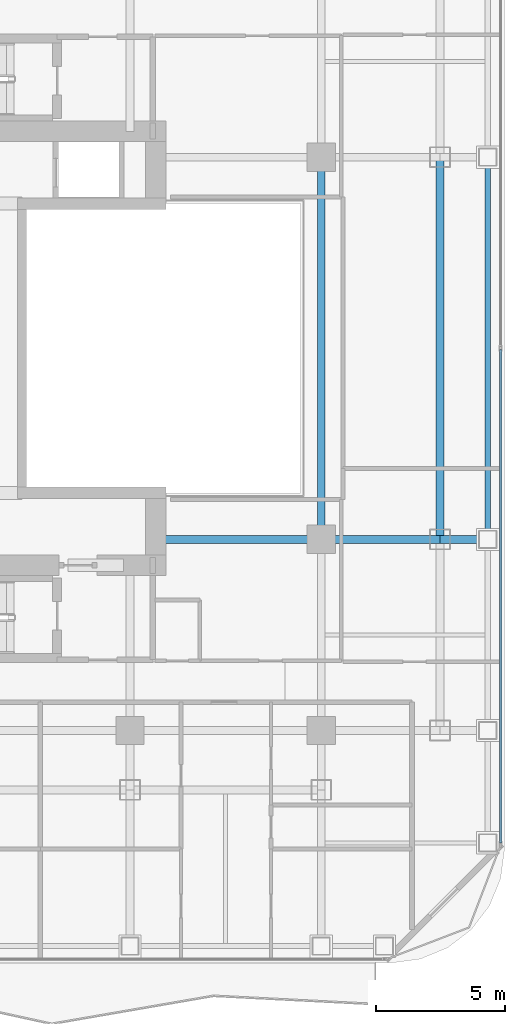
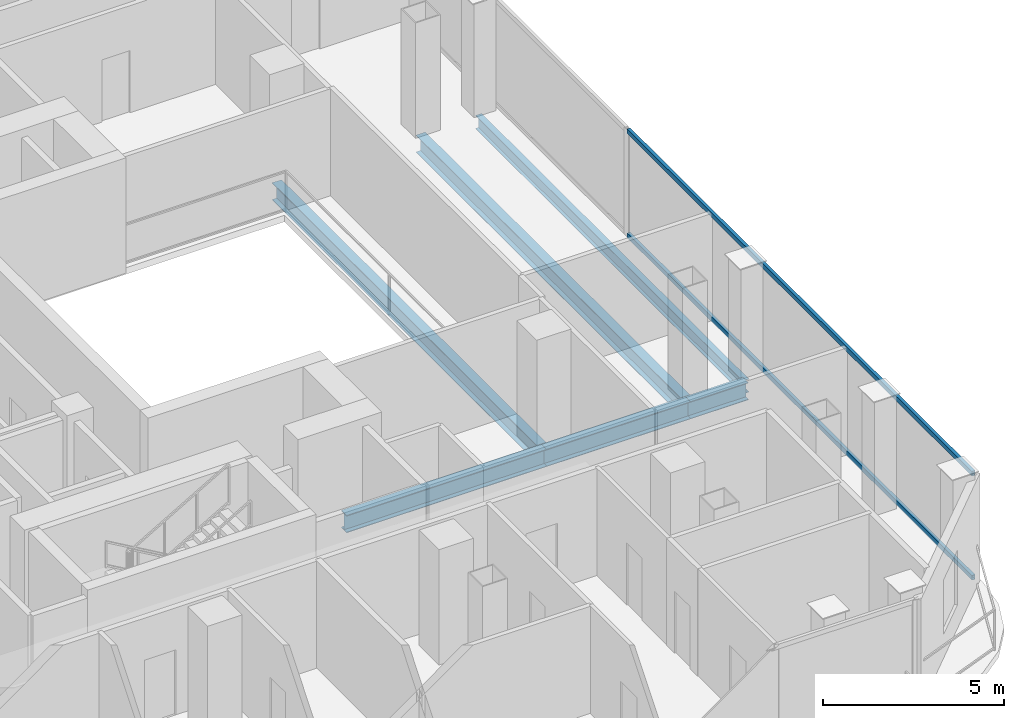
# One storey, part 8 of 26: 6 beams, 2 members, 1 element without a shape of its own.
"""IFC4 building model written with IfcOpenShell, lengths in metres."""

from ifc_helpers import new_model, si_unit, direction, frame, origin, origin_2d, place, context, subcontext, project, spatial, hollow_rectangle, i_section, extrude, material, layer, layer_set, material_profile, profile_set, type_object, element, aggregate, save


model = new_model("IFC4")

# Units and contexts
model_context = context("Model", 3, precision=1e-05, world=origin(), true_north=direction((0.0, 1.0)))
body_context = subcontext(model_context, "Body", "Model", "MODEL_VIEW")
ifc_project = project(units=[si_unit("LENGTHUNIT", "METRE"), si_unit("AREAUNIT", "SQUARE_METRE"), si_unit("VOLUMEUNIT", "CUBIC_METRE"), si_unit("PLANEANGLEUNIT", "RADIAN"), si_unit("MASSUNIT", "GRAM", prefix="KILO")], contexts=[model_context])

# Site, building, storey
site_placement = place(None, origin())
site = spatial("IfcSite", under=ifc_project, at=site_placement, CompositionType="ELEMENT")
building_placement = place(site_placement, origin())
building = spatial("IfcBuilding", under=site, at=building_placement, Name="Khorvyn Point Tower", CompositionType="ELEMENT")
storey_placement = place(building_placement, frame((0.0, 0.0, 187.5)))
storey = spatial("IfcBuildingStorey", under=building, at=storey_placement, Name="L46", CompositionType="ELEMENT", Elevation=187.5)

# Curtain wall, members
ifc_material_1 = material(Name="Anodised aluminium 6063-T6 and laminated Low-E glass", Category="aluminium")
ifc_layer = layer(ifc_material_1, 0.18994140625)
ifc_layer_set = layer_set([ifc_layer], Name="Stick-Built Acoustic Curtain Wall CW-SYS-03")
curtain_wall_type = type_object("IfcCurtainWallType", Name="Stick-Built Acoustic Curtain Wall CW-SYS-03", PredefinedType="NOTDEFINED", material=ifc_layer_set)
curtain_wall_placement = place(storey_placement, origin())
curtain_wall = element("IfcCurtainWall", 1, at=curtain_wall_placement, inside=storey, type_object=curtain_wall_type, Name="Curtain Wall", PredefinedType="NOTDEFINED")
ifc_material_2 = material(Name="Anodised aluminium 6063-T6", Category="aluminium")
ifc_material_profile_1 = material_profile(ifc_material_2, hollow_rectangle(XDim=0.10009765625, YDim=0.159912109375, WallThickness=0.00439453125, at=origin_2d()))
ifc_profile_set_1 = profile_set([ifc_material_profile_1], Name="Anodised aluminium 6063-T6 ALU-TRN-100x160")
member_type = type_object("IfcMemberType", Name="Anodised Aluminium 6063-T6 Transom ALU-TRN-100x160", PredefinedType="USERDEFINED", material=ifc_profile_set_1)
member_1_placement = place(storey_placement, frame((21.75, -0.050048828125, 0.050048828125), z_axis=(0.0, -1.0, 0.0), x_axis=(1.0, 0.0, 0.0)))
member_1 = element("IfcMember", 2, at=member_1_placement, type_object=member_type, Name="Transom", ObjectType="TRANSOM", PredefinedType="USERDEFINED", context=body_context, shape_type="SweptSolid", body=[
    extrude(hollow_rectangle(XDim=0.10009765625, YDim=0.159912109375, WallThickness=0.00439453125, at=origin_2d()), origin(), (0.0, 0.0, 1.0), 19.099853515625),
])
member_2_placement = place(storey_placement, frame((21.75, -0.050048828125, 3.570068359375), z_axis=(0.0, -1.0, 0.0), x_axis=(1.0, 0.0, 0.0)))
member_2 = element("IfcMember", 3, at=member_2_placement, type_object=member_type, Name="Transom", ObjectType="TRANSOM", PredefinedType="USERDEFINED", context=body_context, shape_type="SweptSolid", body=[
    extrude(hollow_rectangle(XDim=0.10009765625, YDim=0.159912109375, WallThickness=0.00439453125, at=origin_2d()), origin(), (0.0, 0.0, 1.0), 19.099853515625),
])
aggregate(curtain_wall, [member_1, member_2])

# Beams
ifc_material_3 = material(Name="Steel S355", Category="steel")
ifc_material_profile_2 = material_profile(ifc_material_3, i_section(OverallWidth=0.300048828125, OverallDepth=0.587890625, WebThickness=0.011962890625, FlangeThickness=0.02001953125, at=origin_2d()))
ifc_profile_set_2 = profile_set([ifc_material_profile_2], Name="Steel S355 H588x300x12x20")
beam_type_1 = type_object("IfcBeamType", Name="Steel S355 Beam H588x300x12x20", PredefinedType="BEAM", material=ifc_profile_set_2)
beam_1_placement = place(storey_placement, frame((8.39990234375, -7.39990234375, -0.513916015625), z_axis=(1.0, 0.0, 0.0), x_axis=(0.0, 1.0, 0.0)))
element("IfcBeam", 4, at=beam_1_placement, inside=storey, type_object=beam_type_1, Name="Beam", PredefinedType="BEAM", context=body_context, shape_type="SweptSolid", body=[
    extrude(i_section(OverallWidth=0.300048828125, OverallDepth=0.587890625, WebThickness=0.011962890625, FlangeThickness=0.02001953125, at=origin_2d()), origin(), (0.0, 0.0, 1.0), 6.400146484375),
])
beam_2_placement = place(storey_placement, frame((14.800048828125, -7.39990234375, -0.513916015625), z_axis=(1.0, 0.0, 0.0), x_axis=(0.0, 1.0, 0.0)))
element("IfcBeam", 5, at=beam_2_placement, inside=storey, type_object=beam_type_1, Name="Beam", PredefinedType="BEAM", context=body_context, shape_type="SweptSolid", body=[
    extrude(i_section(OverallWidth=0.300048828125, OverallDepth=0.587890625, WebThickness=0.011962890625, FlangeThickness=0.02001953125, at=origin_2d()), origin(), (0.0, 0.0, 1.0), 4.599853515625),
])
beam_3_placement = place(storey_placement, frame((19.39990234375, -7.39990234375, -0.513916015625), z_axis=(1.0, 0.0, 0.0), x_axis=(0.0, 1.0, 0.0)))
element("IfcBeam", 6, at=beam_3_placement, inside=storey, type_object=beam_type_1, Name="Beam", PredefinedType="BEAM", context=body_context, shape_type="SweptSolid", body=[
    extrude(i_section(OverallWidth=0.300048828125, OverallDepth=0.587890625, WebThickness=0.011962890625, FlangeThickness=0.02001953125, at=origin_2d()), origin(), (0.0, 0.0, 1.0), 1.85009765625),
])
for number, where, z_axis, x_axis, name in (
    (7, (14.800048828125, -7.39990234375, -0.513916015625), (0.0, 1.0, 0.0), (-1.0, 0.0, 0.0), "Beam"),
    (8, (19.39990234375, -7.39990234375, -0.513916015625), (0.0, 1.0, 0.0), (-1.0, 0.0, 0.0), "Beam"),
):
    element("IfcBeam", number, at=place(storey_placement, frame(where, z_axis=z_axis, x_axis=x_axis)), inside=storey, type_object=beam_type_1, Name=name, PredefinedType="BEAM", context=body_context, shape_type="SweptSolid", body=[
        extrude(i_section(OverallWidth=0.300048828125, OverallDepth=0.587890625, WebThickness=0.011962890625, FlangeThickness=0.02001953125, at=origin_2d()), origin(), (0.0, 0.0, 1.0), 14.7998046875),
    ])
ifc_material_profile_3 = material_profile(ifc_material_3, i_section(OverallWidth=0.199951171875, OverallDepth=0.449951171875, WebThickness=0.009033203125, FlangeThickness=0.013916015625, at=origin_2d()))
ifc_profile_set_3 = profile_set([ifc_material_profile_3], Name="Steel S355 H450x200x9x14")
beam_type_2 = type_object("IfcBeamType", Name="Steel S355 Spandrel H450x200x9x14", PredefinedType="SPANDREL", material=ifc_profile_set_3)
beam_4_placement = place(storey_placement, frame((21.25, -7.39990234375, -0.445068359375), z_axis=(0.0, 1.0, 0.0), x_axis=(-1.0, 0.0, 0.0)))
element("IfcBeam", 9, at=beam_4_placement, inside=storey, type_object=beam_type_2, Name="Beam", PredefinedType="SPANDREL", context=body_context, shape_type="SweptSolid", body=[
    extrude(i_section(OverallWidth=0.199951171875, OverallDepth=0.449951171875, WebThickness=0.009033203125, FlangeThickness=0.013916015625, at=origin_2d()), origin(), (0.0, 0.0, 1.0), 14.7998046875),
])

save(model, "model.ifc")
